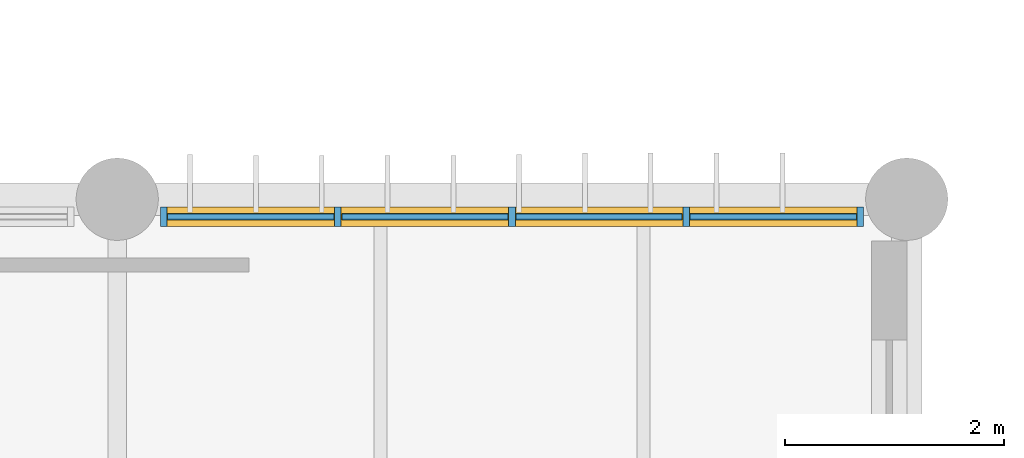
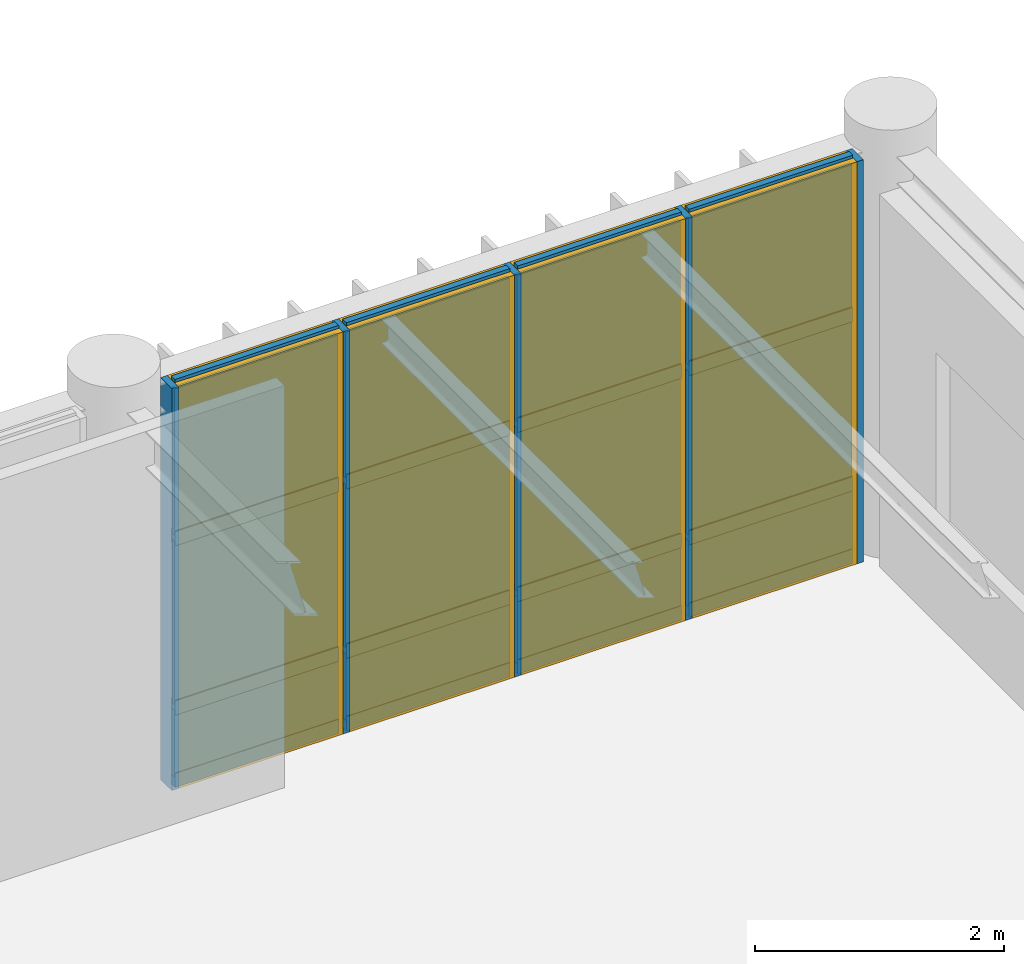
# One storey, part 85 of 122: 21 members, 12 plates, 1 curtain wall.
"""IFC4 building model written with IfcOpenShell, lengths in metres."""

from ifc_helpers import new_model, si_unit, direction, frame, frame_2d, origin, origin_2d, place, context, subcontext, project, spatial, rectangle, extrude, material, layer, layer_set, material_profile, profile_set, type_object, element, aggregate, save


model = new_model("IFC4")

# Units and contexts
model_context = context("Model", 3, precision=1e-05, world=origin(), true_north=direction((0.0, 1.0)))
body_context = subcontext(model_context, "Body", "Model", "MODEL_VIEW")
ifc_project = project(units=[si_unit("LENGTHUNIT", "METRE"), si_unit("AREAUNIT", "SQUARE_METRE"), si_unit("VOLUMEUNIT", "CUBIC_METRE"), si_unit("PLANEANGLEUNIT", "RADIAN"), si_unit("MASSUNIT", "GRAM", prefix="KILO")], contexts=[model_context])

# Member
ifc_material_1 = material(Name="Anodised Bronze Aluminium 6063-T6", Category="aluminium")
ifc_material_profile_1 = material_profile(ifc_material_1, rectangle(XDim=0.06005859375, YDim=0.179931640625, at=origin_2d()), Name="ALU MULLION 60x180")
ifc_profile_set_1 = profile_set([ifc_material_profile_1], Name="Anodised Bronze Aluminium 6063-T6")
member_type_1 = type_object("IfcMemberType", Name="Curtain-Wall Primary Mullion 60x180", PredefinedType="MULLION", material=ifc_profile_set_1)
site_placement = place(None, origin())
building_placement = place(site_placement, origin())
storey_placement = place(building_placement, frame((0.0, 0.0, 4.800048828125)))
member_1_placement = place(storey_placement, frame((110.22509765625, 30.0400390625, 0.0), z_axis=(0.0, 0.0, 1.0), x_axis=(1.0, 0.0, 0.0)))
member_1 = element("IfcMember", 1, at=member_1_placement, type_object=member_type_1, Name="Mullion CWM-01 CW-V5-NRET-E-L01-B3-M01", PredefinedType="MULLION", context=body_context, shape_type="SweptSolid", body=[
    extrude(rectangle(XDim=0.06005859375, YDim=0.179931640625, at=origin_2d()), origin(), (0.0, 0.0, 1.0), 3.93994140625),
])

member_2_placement = place(storey_placement, frame((111.8125, 30.0400390625, 0.0), z_axis=(0.0, 0.0, 1.0), x_axis=(1.0, 0.0, 0.0)))
member_2 = element("IfcMember", 2, at=member_2_placement, type_object=member_type_1, Name="Mullion CWM-01 CW-V5-NRET-E-L01-B3-M02", PredefinedType="MULLION", context=body_context, shape_type="SweptSolid", body=[
    extrude(rectangle(XDim=0.06005859375, YDim=0.179931640625, at=origin_2d()), origin(), (0.0, 0.0, 1.0), 3.93994140625),
])

member_3_placement = place(storey_placement, frame((113.39990234375, 30.0400390625, 0.0), z_axis=(0.0, 0.0, 1.0), x_axis=(1.0, 0.0, 0.0)))
member_3 = element("IfcMember", 3, at=member_3_placement, type_object=member_type_1, Name="Mullion CWM-01 CW-V5-NRET-E-L01-B3-M03", PredefinedType="MULLION", context=body_context, shape_type="SweptSolid", body=[
    extrude(rectangle(XDim=0.06005859375, YDim=0.179931640625, at=origin_2d()), origin(), (0.0, 0.0, 1.0), 3.93994140625),
])

member_4_placement = place(storey_placement, frame((114.987548828125, 30.0400390625, 0.0), z_axis=(0.0, 0.0, 1.0), x_axis=(1.0, 0.0, 0.0)))
member_4 = element("IfcMember", 4, at=member_4_placement, type_object=member_type_1, Name="Mullion CWM-01 CW-V5-NRET-E-L01-B3-M04", PredefinedType="MULLION", context=body_context, shape_type="SweptSolid", body=[
    extrude(rectangle(XDim=0.06005859375, YDim=0.179931640625, at=origin_2d()), origin(), (0.0, 0.0, 1.0), 3.93994140625),
])

member_5_placement = place(storey_placement, frame((116.574951171875, 30.0400390625, 0.0), z_axis=(0.0, 0.0, 1.0), x_axis=(1.0, 0.0, 0.0)))
member_5 = element("IfcMember", 5, at=member_5_placement, type_object=member_type_1, Name="Mullion CWM-01 CW-V5-NRET-E-L01-B3-M05", PredefinedType="MULLION", context=body_context, shape_type="SweptSolid", body=[
    extrude(rectangle(XDim=0.06005859375, YDim=0.179931640625, at=origin_2d()), origin(), (0.0, 0.0, 1.0), 3.93994140625),
])

ifc_material_profile_2 = material_profile(ifc_material_1, rectangle(XDim=0.06005859375, YDim=0.139892578125, at=origin_2d()), Name="ALU TRANSOM 60x140")
ifc_profile_set_2 = profile_set([ifc_material_profile_2], Name="Anodised Bronze Aluminium 6063-T6")
member_type_2 = type_object("IfcMemberType", Name="Curtain-Wall Transom 60x140", PredefinedType="USERDEFINED", material=ifc_profile_set_2)
member_6_placement = place(storey_placement, frame((110.260009765625, 30.0400390625, 0.0400390625), z_axis=(1.0, 0.0, 0.0), x_axis=(0.0, 1.0, 0.0)))
member_6 = element("IfcMember", 6, at=member_6_placement, type_object=member_type_2, Name="Transom CWT-01 CW-V5-NRET-E-L01-B3-T01.1", ObjectType="TRANSOM", PredefinedType="USERDEFINED", context=body_context, shape_type="SweptSolid", body=[
    extrude(rectangle(XDim=0.06005859375, YDim=0.139892578125, at=origin_2d()), origin(), (0.0, 0.0, 1.0), 1.517578125),
])

member_7_placement = place(storey_placement, frame((110.260009765625, 30.0400390625, 0.75), z_axis=(1.0, 0.0, 0.0), x_axis=(0.0, 1.0, 0.0)))
member_7 = element("IfcMember", 7, at=member_7_placement, type_object=member_type_2, Name="Transom CWT-01 CW-V5-NRET-E-L01-B3-T01.2", ObjectType="TRANSOM", PredefinedType="USERDEFINED", context=body_context, shape_type="SweptSolid", body=[
    extrude(rectangle(XDim=0.06005859375, YDim=0.139892578125, at=origin_2d()), origin(), (0.0, 0.0, 1.0), 1.517578125),
])

member_8_placement = place(storey_placement, frame((110.260009765625, 30.0400390625, 2.40869140625), z_axis=(1.0, 0.0, 0.0), x_axis=(0.0, 1.0, 0.0)))
member_8 = element("IfcMember", 8, at=member_8_placement, type_object=member_type_2, Name="Transom CWT-01 CW-V5-NRET-E-L01-B3-T01.3", ObjectType="TRANSOM", PredefinedType="USERDEFINED", context=body_context, shape_type="SweptSolid", body=[
    extrude(rectangle(XDim=0.06005859375, YDim=0.139892578125, at=origin_2d()), origin(), (0.0, 0.0, 1.0), 1.517578125),
])

member_9_placement = place(storey_placement, frame((110.260009765625, 30.0400390625, 3.89990234375), z_axis=(1.0, 0.0, 0.0), x_axis=(0.0, 1.0, 0.0)))
member_9 = element("IfcMember", 9, at=member_9_placement, type_object=member_type_2, Name="Transom CWT-01 CW-V5-NRET-E-L01-B3-T01.4", ObjectType="TRANSOM", PredefinedType="USERDEFINED", context=body_context, shape_type="SweptSolid", body=[
    extrude(rectangle(XDim=0.06005859375, YDim=0.139892578125, at=origin_2d()), origin(), (0.0, 0.0, 1.0), 1.517578125),
])

member_10_placement = place(storey_placement, frame((111.847412109375, 30.0400390625, 0.0400390625), z_axis=(1.0, 0.0, 0.0), x_axis=(0.0, 1.0, 0.0)))
member_10 = element("IfcMember", 10, at=member_10_placement, type_object=member_type_2, Name="Transom CWT-01 CW-V5-NRET-E-L01-B3-T02.1", ObjectType="TRANSOM", PredefinedType="USERDEFINED", context=body_context, shape_type="SweptSolid", body=[
    extrude(rectangle(XDim=0.06005859375, YDim=0.139892578125, at=origin_2d()), origin(), (0.0, 0.0, 1.0), 1.517578125),
])

member_11_placement = place(storey_placement, frame((111.847412109375, 30.0400390625, 0.75), z_axis=(1.0, 0.0, 0.0), x_axis=(0.0, 1.0, 0.0)))
member_11 = element("IfcMember", 11, at=member_11_placement, type_object=member_type_2, Name="Transom CWT-01 CW-V5-NRET-E-L01-B3-T02.2", ObjectType="TRANSOM", PredefinedType="USERDEFINED", context=body_context, shape_type="SweptSolid", body=[
    extrude(rectangle(XDim=0.06005859375, YDim=0.139892578125, at=origin_2d()), origin(), (0.0, 0.0, 1.0), 1.517578125),
])

member_12_placement = place(storey_placement, frame((111.847412109375, 30.0400390625, 2.40869140625), z_axis=(1.0, 0.0, 0.0), x_axis=(0.0, 1.0, 0.0)))
member_12 = element("IfcMember", 12, at=member_12_placement, type_object=member_type_2, Name="Transom CWT-01 CW-V5-NRET-E-L01-B3-T02.3", ObjectType="TRANSOM", PredefinedType="USERDEFINED", context=body_context, shape_type="SweptSolid", body=[
    extrude(rectangle(XDim=0.06005859375, YDim=0.139892578125, at=origin_2d()), origin(), (0.0, 0.0, 1.0), 1.517578125),
])

member_13_placement = place(storey_placement, frame((111.847412109375, 30.0400390625, 3.89990234375), z_axis=(1.0, 0.0, 0.0), x_axis=(0.0, 1.0, 0.0)))
member_13 = element("IfcMember", 13, at=member_13_placement, type_object=member_type_2, Name="Transom CWT-01 CW-V5-NRET-E-L01-B3-T02.4", ObjectType="TRANSOM", PredefinedType="USERDEFINED", context=body_context, shape_type="SweptSolid", body=[
    extrude(rectangle(XDim=0.06005859375, YDim=0.139892578125, at=origin_2d()), origin(), (0.0, 0.0, 1.0), 1.517578125),
])

member_14_placement = place(storey_placement, frame((113.43505859375, 30.0400390625, 0.0400390625), z_axis=(1.0, 0.0, 0.0), x_axis=(0.0, 1.0, 0.0)))
member_14 = element("IfcMember", 14, at=member_14_placement, type_object=member_type_2, Name="Transom CWT-01 CW-V5-NRET-E-L01-B3-T03.1", ObjectType="TRANSOM", PredefinedType="USERDEFINED", context=body_context, shape_type="SweptSolid", body=[
    extrude(rectangle(XDim=0.06005859375, YDim=0.139892578125, at=origin_2d()), origin(), (0.0, 0.0, 1.0), 1.517333984375),
])

member_15_placement = place(storey_placement, frame((113.43505859375, 30.0400390625, 0.75), z_axis=(1.0, 0.0, 0.0), x_axis=(0.0, 1.0, 0.0)))
member_15 = element("IfcMember", 15, at=member_15_placement, type_object=member_type_2, Name="Transom CWT-01 CW-V5-NRET-E-L01-B3-T03.2", ObjectType="TRANSOM", PredefinedType="USERDEFINED", context=body_context, shape_type="SweptSolid", body=[
    extrude(rectangle(XDim=0.06005859375, YDim=0.139892578125, at=origin_2d()), origin(), (0.0, 0.0, 1.0), 1.517333984375),
])

member_16_placement = place(storey_placement, frame((113.43505859375, 30.0400390625, 2.40869140625), z_axis=(1.0, 0.0, 0.0), x_axis=(0.0, 1.0, 0.0)))
member_16 = element("IfcMember", 16, at=member_16_placement, type_object=member_type_2, Name="Transom CWT-01 CW-V5-NRET-E-L01-B3-T03.3", ObjectType="TRANSOM", PredefinedType="USERDEFINED", context=body_context, shape_type="SweptSolid", body=[
    extrude(rectangle(XDim=0.06005859375, YDim=0.139892578125, at=origin_2d()), origin(), (0.0, 0.0, 1.0), 1.517333984375),
])

member_17_placement = place(storey_placement, frame((113.43505859375, 30.0400390625, 3.89990234375), z_axis=(1.0, 0.0, 0.0), x_axis=(0.0, 1.0, 0.0)))
member_17 = element("IfcMember", 17, at=member_17_placement, type_object=member_type_2, Name="Transom CWT-01 CW-V5-NRET-E-L01-B3-T03.4", ObjectType="TRANSOM", PredefinedType="USERDEFINED", context=body_context, shape_type="SweptSolid", body=[
    extrude(rectangle(XDim=0.06005859375, YDim=0.139892578125, at=origin_2d()), origin(), (0.0, 0.0, 1.0), 1.517333984375),
])

member_18_placement = place(storey_placement, frame((115.0224609375, 30.0400390625, 0.0400390625), z_axis=(1.0, 0.0, 0.0), x_axis=(0.0, 1.0, 0.0)))
member_18 = element("IfcMember", 18, at=member_18_placement, type_object=member_type_2, Name="Transom CWT-01 CW-V5-NRET-E-L01-B3-T04.1", ObjectType="TRANSOM", PredefinedType="USERDEFINED", context=body_context, shape_type="SweptSolid", body=[
    extrude(rectangle(XDim=0.06005859375, YDim=0.139892578125, at=origin_2d()), origin(), (0.0, 0.0, 1.0), 1.517578125),
])

member_19_placement = place(storey_placement, frame((115.0224609375, 30.0400390625, 0.75), z_axis=(1.0, 0.0, 0.0), x_axis=(0.0, 1.0, 0.0)))
member_19 = element("IfcMember", 19, at=member_19_placement, type_object=member_type_2, Name="Transom CWT-01 CW-V5-NRET-E-L01-B3-T04.2", ObjectType="TRANSOM", PredefinedType="USERDEFINED", context=body_context, shape_type="SweptSolid", body=[
    extrude(rectangle(XDim=0.06005859375, YDim=0.139892578125, at=origin_2d()), origin(), (0.0, 0.0, 1.0), 1.517578125),
])

member_20_placement = place(storey_placement, frame((115.0224609375, 30.0400390625, 2.40869140625), z_axis=(1.0, 0.0, 0.0), x_axis=(0.0, 1.0, 0.0)))
member_20 = element("IfcMember", 20, at=member_20_placement, type_object=member_type_2, Name="Transom CWT-01 CW-V5-NRET-E-L01-B3-T04.3", ObjectType="TRANSOM", PredefinedType="USERDEFINED", context=body_context, shape_type="SweptSolid", body=[
    extrude(rectangle(XDim=0.06005859375, YDim=0.139892578125, at=origin_2d()), origin(), (0.0, 0.0, 1.0), 1.517578125),
])

member_21_placement = place(storey_placement, frame((115.0224609375, 30.0400390625, 3.89990234375), z_axis=(1.0, 0.0, 0.0), x_axis=(0.0, 1.0, 0.0)))
member_21 = element("IfcMember", 21, at=member_21_placement, type_object=member_type_2, Name="Transom CWT-01 CW-V5-NRET-E-L01-B3-T04.4", ObjectType="TRANSOM", PredefinedType="USERDEFINED", context=body_context, shape_type="SweptSolid", body=[
    extrude(rectangle(XDim=0.06005859375, YDim=0.139892578125, at=origin_2d()), origin(), (0.0, 0.0, 1.0), 1.517578125),
])

# Plate
ifc_material_2 = material(Name="Insulated Bronze Aluminium Spandrel Panel", Category="aluminium")
ifc_layer_1 = layer(ifc_material_2, 0.050048828125, Name="Insulated Bronze Aluminium Spandrel Panel")
ifc_layer_set_1 = layer_set([ifc_layer_1], Name="Insulated Bronze Aluminium Spandrel Panel")
plate_type_1 = type_object("IfcPlateType", Name="Insulated Anodised Aluminium Spandrel Cassette 50", PredefinedType="CURTAIN_PANEL", material=ifc_layer_set_1)
plate_1_placement = place(storey_placement, frame((111.018798828125, 30.0400390625, 0.070068359375), z_axis=(0.0, 0.0, 1.0), x_axis=(1.0, 0.0, 0.0)))
plate_1 = element("IfcPlate", 22, at=plate_1_placement, type_object=plate_type_1, Name="Curtain Panel CWP-03 CW-V5-NRET-E-L01-B3-P01.1", PredefinedType="CURTAIN_PANEL", context=body_context, shape_type="SweptSolid", body=[
    extrude(rectangle(XDim=1.517578125, YDim=0.050048828125, at=origin_2d()), origin(), (0.0, 0.0, 1.0), 0.64990234375),
])

plate_2_placement = place(storey_placement, frame((112.606201171875, 30.0400390625, 0.070068359375), z_axis=(0.0, 0.0, 1.0), x_axis=(1.0, 0.0, 0.0)))
plate_2 = element("IfcPlate", 23, at=plate_2_placement, type_object=plate_type_1, Name="Curtain Panel CWP-03 CW-V5-NRET-E-L01-B3-P02.1", PredefinedType="CURTAIN_PANEL", context=body_context, shape_type="SweptSolid", body=[
    extrude(rectangle(XDim=1.517578125, YDim=0.050048828125, at=origin_2d()), origin(), (0.0, 0.0, 1.0), 0.64990234375),
])

plate_3_placement = place(storey_placement, frame((114.193603515625, 30.0400390625, 0.070068359375), z_axis=(0.0, 0.0, 1.0), x_axis=(1.0, 0.0, 0.0)))
plate_3 = element("IfcPlate", 24, at=plate_3_placement, type_object=plate_type_1, Name="Curtain Panel CWP-03 CW-V5-NRET-E-L01-B3-P03.1", PredefinedType="CURTAIN_PANEL", context=body_context, shape_type="SweptSolid", body=[
    extrude(rectangle(XDim=1.517578125, YDim=0.050048828125, at=origin_2d()), origin(), (0.0, 0.0, 1.0), 0.64990234375),
])

plate_4_placement = place(storey_placement, frame((115.78125, 30.0400390625, 0.070068359375), z_axis=(0.0, 0.0, 1.0), x_axis=(1.0, 0.0, 0.0)))
plate_4 = element("IfcPlate", 25, at=plate_4_placement, type_object=plate_type_1, Name="Curtain Panel CWP-03 CW-V5-NRET-E-L01-B3-P04.1", PredefinedType="CURTAIN_PANEL", context=body_context, shape_type="SweptSolid", body=[
    extrude(rectangle(XDim=1.517578125, YDim=0.050048828125, at=origin_2d()), origin(), (0.0, 0.0, 1.0), 0.64990234375),
])

ifc_material_3 = material(Name="Solar-Control Tempered Double Glazing", Category="glass")
ifc_layer_2 = layer(ifc_material_3, 0.0380859375, Name="Solar-Control Tempered Double Glazing")
ifc_layer_set_2 = layer_set([ifc_layer_2], Name="Solar-Control Tempered Double Glazing")
plate_type_2 = type_object("IfcPlateType", Name="Solar-Control Vision Glazing Unit 38", PredefinedType="CURTAIN_PANEL", material=ifc_layer_set_2)
plate_5_placement = place(storey_placement, frame((111.018798828125, 30.0400390625, 0.77978515625), z_axis=(0.0, 0.0, 1.0), x_axis=(1.0, 0.0, 0.0)))
plate_5 = element("IfcPlate", 26, at=plate_5_placement, type_object=plate_type_2, Name="Curtain Panel CWP-02 CW-V5-NRET-E-L01-B3-P01.2", PredefinedType="CURTAIN_PANEL", context=body_context, shape_type="SweptSolid", body=[
    extrude(rectangle(XDim=1.517578125, YDim=0.0380859375, at=origin_2d()), origin(), (0.0, 0.0, 1.0), 1.598876953125),
])

plate_6_placement = place(storey_placement, frame((111.018798828125, 30.0400390625, 2.438720703125), z_axis=(0.0, 0.0, 1.0), x_axis=(1.0, 0.0, 0.0)))
plate_6 = element("IfcPlate", 27, at=plate_6_placement, type_object=plate_type_2, Name="Curtain Panel CWP-02 CW-V5-NRET-E-L01-B3-P01.3", PredefinedType="CURTAIN_PANEL", context=body_context, shape_type="SweptSolid", body=[
    extrude(rectangle(XDim=1.517578125, YDim=0.0380859375, at=origin_2d()), origin(), (0.0, 0.0, 1.0), 1.43115234375),
])

plate_7_placement = place(storey_placement, frame((112.606201171875, 30.0400390625, 0.77978515625), z_axis=(0.0, 0.0, 1.0), x_axis=(1.0, 0.0, 0.0)))
plate_7 = element("IfcPlate", 28, at=plate_7_placement, type_object=plate_type_2, Name="Curtain Panel CWP-02 CW-V5-NRET-E-L01-B3-P02.2", PredefinedType="CURTAIN_PANEL", context=body_context, shape_type="SweptSolid", body=[
    extrude(rectangle(XDim=1.517578125, YDim=0.0380859375, at=origin_2d()), origin(), (0.0, 0.0, 1.0), 1.598876953125),
])

plate_8_placement = place(storey_placement, frame((112.606201171875, 30.0400390625, 2.438720703125), z_axis=(0.0, 0.0, 1.0), x_axis=(1.0, 0.0, 0.0)))
plate_8 = element("IfcPlate", 29, at=plate_8_placement, type_object=plate_type_2, Name="Curtain Panel CWP-02 CW-V5-NRET-E-L01-B3-P02.3", PredefinedType="CURTAIN_PANEL", context=body_context, shape_type="SweptSolid", body=[
    extrude(rectangle(XDim=1.517578125, YDim=0.0380859375, at=origin_2d()), origin(), (0.0, 0.0, 1.0), 1.43115234375),
])

plate_9_placement = place(storey_placement, frame((114.193603515625, 30.0400390625, 0.77978515625), z_axis=(0.0, 0.0, 1.0), x_axis=(1.0, 0.0, 0.0)))
plate_9 = element("IfcPlate", 30, at=plate_9_placement, type_object=plate_type_2, Name="Curtain Panel CWP-02 CW-V5-NRET-E-L01-B3-P03.2", PredefinedType="CURTAIN_PANEL", context=body_context, shape_type="SweptSolid", body=[
    extrude(rectangle(XDim=1.517578125, YDim=0.0380859375, at=origin_2d()), origin(), (0.0, 0.0, 1.0), 1.598876953125),
])

plate_10_placement = place(storey_placement, frame((114.193603515625, 30.0400390625, 2.438720703125), z_axis=(0.0, 0.0, 1.0), x_axis=(1.0, 0.0, 0.0)))
plate_10 = element("IfcPlate", 31, at=plate_10_placement, type_object=plate_type_2, Name="Curtain Panel CWP-02 CW-V5-NRET-E-L01-B3-P03.3", PredefinedType="CURTAIN_PANEL", context=body_context, shape_type="SweptSolid", body=[
    extrude(rectangle(XDim=1.517578125, YDim=0.0380859375, at=origin_2d()), origin(), (0.0, 0.0, 1.0), 1.43115234375),
])

plate_11_placement = place(storey_placement, frame((115.78125, 30.0400390625, 0.77978515625), z_axis=(0.0, 0.0, 1.0), x_axis=(1.0, 0.0, 0.0)))
plate_11 = element("IfcPlate", 32, at=plate_11_placement, type_object=plate_type_2, Name="Curtain Panel CWP-02 CW-V5-NRET-E-L01-B3-P04.2", PredefinedType="CURTAIN_PANEL", context=body_context, shape_type="SweptSolid", body=[
    extrude(rectangle(XDim=1.517578125, YDim=0.0380859375, at=origin_2d()), origin(), (0.0, 0.0, 1.0), 1.598876953125),
])

plate_12_placement = place(storey_placement, frame((115.78125, 30.0400390625, 2.438720703125), z_axis=(0.0, 0.0, 1.0), x_axis=(1.0, 0.0, 0.0)))
plate_12 = element("IfcPlate", 33, at=plate_12_placement, type_object=plate_type_2, Name="Curtain Panel CWP-02 CW-V5-NRET-E-L01-B3-P04.3", PredefinedType="CURTAIN_PANEL", context=body_context, shape_type="SweptSolid", body=[
    extrude(rectangle(XDim=1.517578125, YDim=0.0380859375, at=origin_2d()), origin(), (0.0, 0.0, 1.0), 1.43115234375),
])

# Site, building, storey
site = spatial("IfcSite", under=ifc_project, at=site_placement, CompositionType="ELEMENT")
building = spatial("IfcBuilding", under=site, at=building_placement, Name="Tazoul Stagehouse", CompositionType="ELEMENT")
storey = spatial("IfcBuildingStorey", under=building, at=storey_placement, Name="L01", CompositionType="ELEMENT", Elevation=4.800048828125)

# Curtain wall
curtain_wall_type = type_object("IfcCurtainWallType", Name="Foyer Clear Solar-Control Curtain Wall", PredefinedType="NOTDEFINED", material=ifc_material_1)
curtain_wall_placement = place(storey_placement, frame((110.22509765625, 30.0400390625, 0.0), z_axis=(0.0, 0.0, 1.0), x_axis=(1.0, 0.0, 0.0)))
curtain_wall = element("IfcCurtainWall", 34, at=curtain_wall_placement, inside=storey, type_object=curtain_wall_type, Name="L01 Curtain Wall CW-02 (CW-V5-NRET-E-L01-B3)", PredefinedType="NOTDEFINED", context=body_context, shape_type="SweptSolid", body=[
    extrude(rectangle(XDim=6.349853515625, YDim=0.179931640625, at=frame_2d((3.1748046875, 0.0))), origin(), (0.0, 0.0, 1.0), 3.93994140625),
])

aggregate(curtain_wall, [member_1, member_2, member_3, member_4, member_5, member_6, member_7, member_8, member_9, plate_1, plate_5, plate_6, member_10, member_11, member_12, member_13, plate_2, plate_7, plate_8, member_14, member_15, member_16, member_17, plate_3, plate_9, plate_10, member_18, member_19, member_20, member_21, plate_4, plate_11, plate_12])

save(model, "model.ifc")
